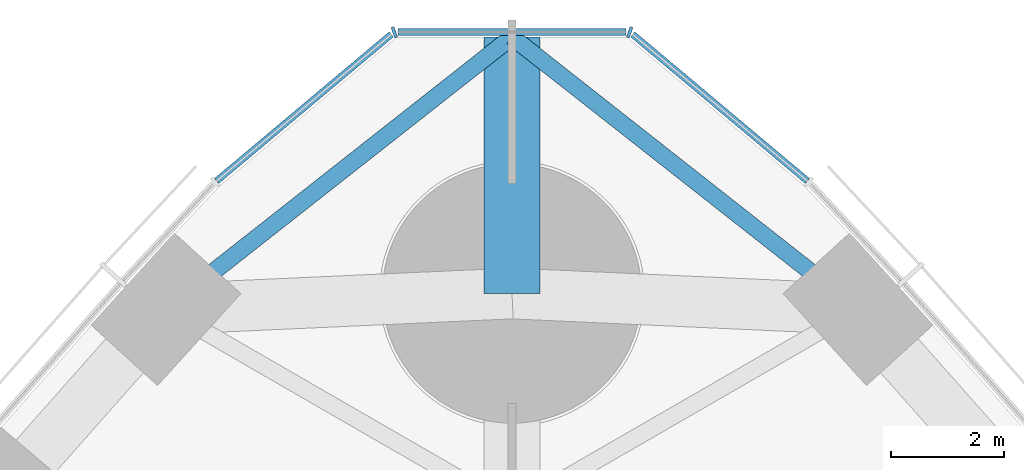
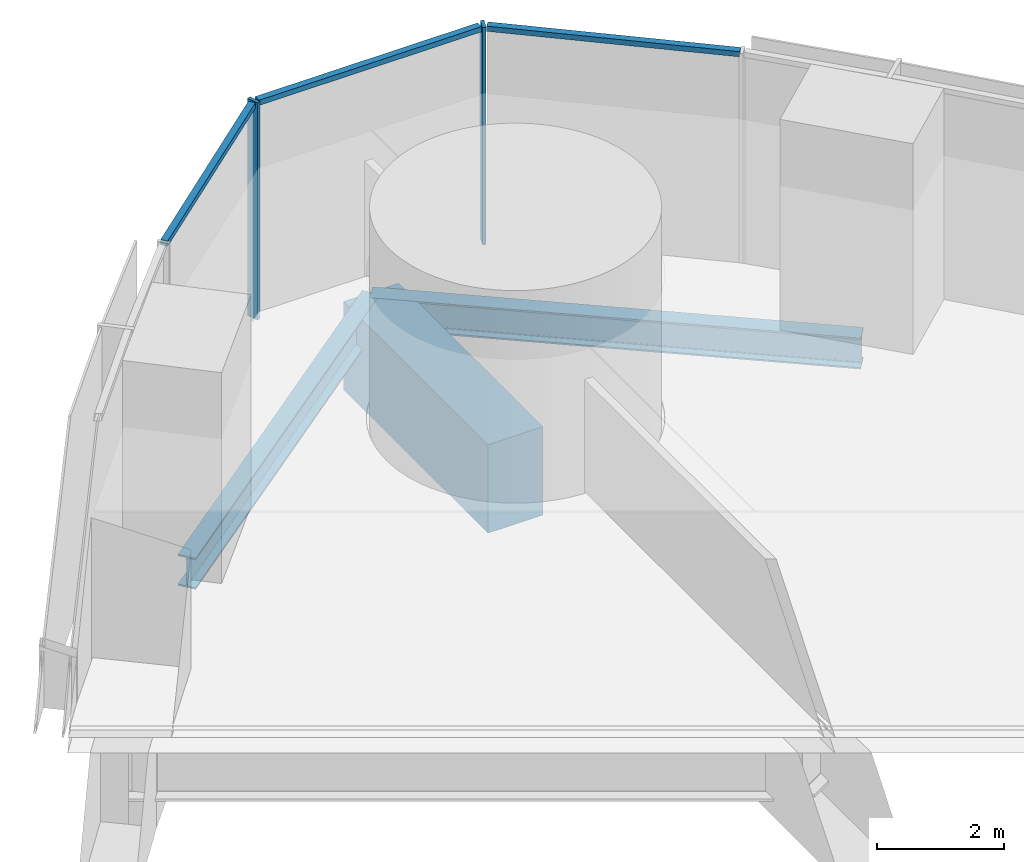
# One storey, part 8 of 19: 5 members, 3 beams, 1 element without a shape of its own.
"""IFC4 building model written with IfcOpenShell, lengths in metres."""

from ifc_helpers import new_model, si_unit, direction, frame, origin, origin_2d, place, context, subcontext, project, spatial, rectangle, i_section, extrude, material, material_profile, profile_set, type_object, element, aggregate, save


model = new_model("IFC4")

# Units and contexts
model_context = context("Model", 3, precision=1e-05, world=origin(), true_north=direction((0.0, 1.0)))
body_context = subcontext(model_context, "Body", "Model", "MODEL_VIEW")
ifc_project = project(units=[si_unit("LENGTHUNIT", "METRE"), si_unit("AREAUNIT", "SQUARE_METRE"), si_unit("VOLUMEUNIT", "CUBIC_METRE"), si_unit("PLANEANGLEUNIT", "RADIAN"), si_unit("MASSUNIT", "GRAM", prefix="KILO")], contexts=[model_context])

# Site, building, storey
site_placement = place(None, origin())
site = spatial("IfcSite", under=ifc_project, at=site_placement, CompositionType="ELEMENT")
building_placement = place(site_placement, origin())
building = spatial("IfcBuilding", under=site, at=building_placement, Name="Trefoil Bronze Tower", CompositionType="ELEMENT")
storey_placement = place(building_placement, frame((0.0, 0.0, 107.300048828125)))
storey = spatial("IfcBuildingStorey", under=building, at=storey_placement, Name="L24", CompositionType="ELEMENT", Elevation=107.300048828125)

# Curtain wall, members
ifc_material_1 = material(Name="Tinted solar-control glass", Category="glass")
curtain_wall_type = type_object("IfcCurtainWallType", Name="Bronze rounded corner curtain wall", PredefinedType="USERDEFINED", material=ifc_material_1)
curtain_wall_placement = place(storey_placement, origin())
curtain_wall = element("IfcCurtainWall", 1, at=curtain_wall_placement, inside=storey, type_object=curtain_wall_type, Name="CW-B L24 K2", ObjectType="CURTAIN WALL", PredefinedType="USERDEFINED")
ifc_material_2 = material(Name="Bronze-finish aluminium", Category="aluminium")
ifc_material_profile_1 = material_profile(ifc_material_2, rectangle(XDim=0.199951171875, YDim=0.06005859375, at=origin_2d()), Name="CW-B mullion")
ifc_profile_set_1 = profile_set([ifc_material_profile_1], Name="Bronze-finish aluminium")
member_type_1 = type_object("IfcMemberType", Name="Bronze rounded corner curtain wall mullion", PredefinedType="MULLION", material=ifc_profile_set_1)
member_1_placement = place(storey_placement, frame((2.08642578125, 39.631591796875, 0.0), z_axis=(0.0, 0.0, 1.0), x_axis=(-0.342020143326, -0.939692620786, 0.0)))
member_1 = element("IfcMember", 2, at=member_1_placement, type_object=member_type_1, Name="CW-B L24 K2 mullion 2", PredefinedType="MULLION", context=body_context, shape_type="SweptSolid", body=[
    extrude(rectangle(XDim=0.199951171875, YDim=0.06005859375, at=origin_2d()), origin(), (0.0, 0.0, 1.0), 4.179931640625),
])
member_2_placement = place(storey_placement, frame((-2.08642578125, 39.631591796875, 0.0), z_axis=(0.0, 0.0, 1.0), x_axis=(0.342020143326, -0.939692620786, 0.0)))
member_2 = element("IfcMember", 3, at=member_2_placement, type_object=member_type_1, Name="CW-B L24 K2 mullion 3", PredefinedType="MULLION", context=body_context, shape_type="SweptSolid", body=[
    extrude(rectangle(XDim=0.199951171875, YDim=0.06005859375, at=origin_2d()), origin(), (0.0, 0.0, 1.0), 4.179931640625),
])
ifc_material_3 = material(Name="Bronze-finish aluminium", Category="aluminium")
ifc_material_profile_2 = material_profile(ifc_material_3, rectangle(XDim=0.1201171875, YDim=0.10009765625, at=origin_2d()), Name="CW-B transom")
ifc_profile_set_2 = profile_set([ifc_material_profile_2], Name="Bronze-finish aluminium")
member_type_2 = type_object("IfcMemberType", Name="Bronze rounded corner curtain wall transom", PredefinedType="USERDEFINED", material=ifc_profile_set_2)
member_3_placement = place(storey_placement, frame((5.237548828125, 36.9951171875, 4.1298828125), z_axis=(-0.766049624684, 0.642781434487, 0.0), x_axis=(-0.642781434487, -0.766049624684, 0.0)))
member_3 = element("IfcMember", 4, at=member_3_placement, type_object=member_type_2, Name="CW-B L24 K2 transom 1", ObjectType="TRANSOM", PredefinedType="USERDEFINED", context=body_context, shape_type="SweptSolid", body=[
    extrude(rectangle(XDim=0.1201171875, YDim=0.10009765625, at=origin_2d()), origin(), (0.0, 0.0, 1.0), 4.04443359375),
])
member_4_placement = place(storey_placement, frame((2.022216796875, 39.637451171875, 4.1298828125), z_axis=(-1.0, 0.0, 0.0), x_axis=(0.0, -1.0, 0.0)))
member_4 = element("IfcMember", 5, at=member_4_placement, type_object=member_type_2, Name="CW-B L24 K2 transom 2", ObjectType="TRANSOM", PredefinedType="USERDEFINED", context=body_context, shape_type="SweptSolid", body=[
    extrude(rectangle(XDim=0.1201171875, YDim=0.10009765625, at=origin_2d()), origin(), (0.0, 0.0, 1.0), 4.04443359375),
])
member_5_placement = place(storey_placement, frame((-2.139404296875, 39.5947265625, 4.1298828125), z_axis=(-0.766049624684, -0.642781434487, 0.0), x_axis=(0.642781434487, -0.766049624684, 0.0)))
member_5 = element("IfcMember", 6, at=member_5_placement, type_object=member_type_2, Name="CW-B L24 K2 transom 3", ObjectType="TRANSOM", PredefinedType="USERDEFINED", context=body_context, shape_type="SweptSolid", body=[
    extrude(rectangle(XDim=0.1201171875, YDim=0.10009765625, at=origin_2d()), origin(), (0.0, 0.0, 1.0), 4.04443359375),
])
aggregate(curtain_wall, [member_1, member_2, member_3, member_4, member_5])

# Beams
ifc_material_4 = material(Name="Concrete B80", Category="concrete")
ifc_material_profile_3 = material_profile(ifc_material_4, rectangle(XDim=1.0, YDim=1.699951171875, at=origin_2d()), Name="RC 1000x1700")
ifc_profile_set_3 = profile_set([ifc_material_profile_3], Name="Concrete B80")
beam_type_1 = type_object("IfcBeamType", Name="Corner cantilever RC 1000x1700", PredefinedType="BEAM", material=ifc_profile_set_3)
beam_placement = place(storey_placement, frame((0.0, 35.0, -1.050048828125), z_axis=(0.0, 1.0, 0.0), x_axis=(-1.0, 0.0, 0.0)))
element("IfcBeam", 7, at=beam_placement, inside=storey, type_object=beam_type_1, Name="Corner cantilever K2 L24", PredefinedType="BEAM", context=body_context, shape_type="SweptSolid", body=[
    extrude(rectangle(XDim=1.0, YDim=1.699951171875, at=origin_2d()), origin(), (0.0, 0.0, 1.0), 4.54931640625),
])
ifc_material_5 = material(Name="Steel C355", Category="steel")
ifc_material_profile_4 = material_profile(ifc_material_5, i_section(OverallWidth=0.300048828125, OverallDepth=0.60009765625, WebThickness=0.015380859375, FlangeThickness=0.030029296875, FilletRadius=0.027099609375, at=origin_2d()), Name="HEB 600")
ifc_profile_set_4 = profile_set([ifc_material_profile_4], Name="Steel C355")
beam_type_2 = type_object("IfcBeamType", Name="Corner edge beam HEB 600", PredefinedType="BEAM", material=ifc_profile_set_4)
for number, where, z_axis, x_axis, name in (
    (8, (6.13916015625, 34.72119140625, -0.5), (-0.786038406433, 0.61817766347, 0.0), (-0.61817766347, -0.786038406433, 0.0), "Corner edge beam F2A L24"),
    (9, (-6.13916015625, 34.72119140625, -0.5), (0.786038406433, 0.61817766347, 0.0), (-0.61817766347, 0.786038406433, 0.0), "Corner edge beam F3B L24"),
):
    element("IfcBeam", number, at=place(storey_placement, frame(where, z_axis=z_axis, x_axis=x_axis)), inside=storey, type_object=beam_type_2, Name=name, PredefinedType="BEAM", context=body_context, shape_type="SweptSolid", body=[
        extrude(i_section(OverallWidth=0.300048828125, OverallDepth=0.60009765625, WebThickness=0.015380859375, FlangeThickness=0.030029296875, FilletRadius=0.027099609375, at=origin_2d()), origin(), (0.0, 0.0, 1.0), 7.810302734375),
    ])

save(model, "model.ifc")
